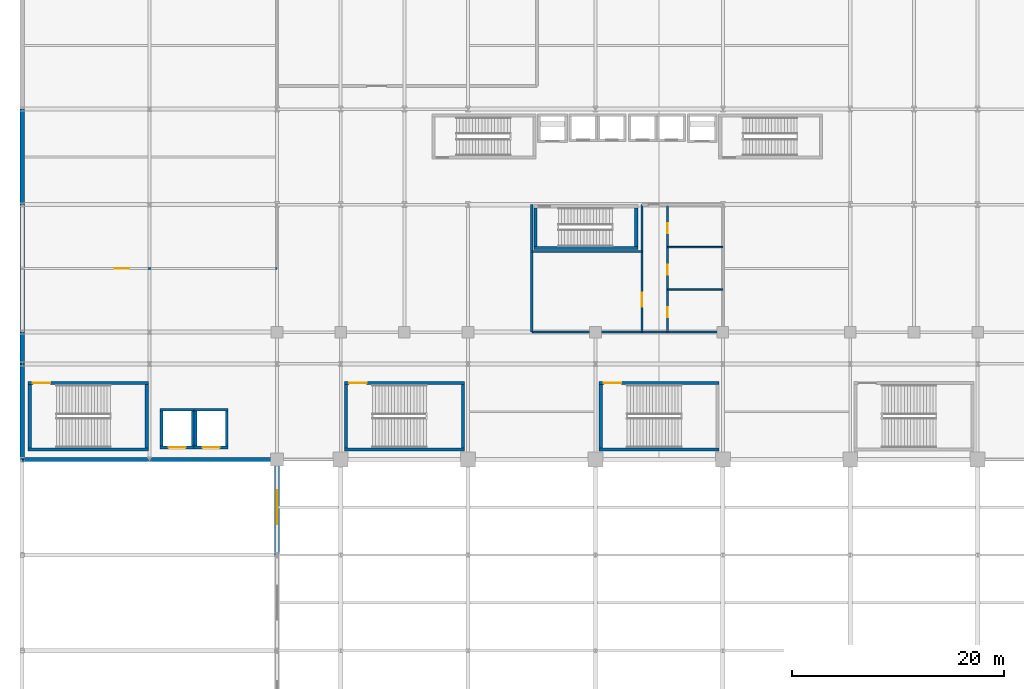
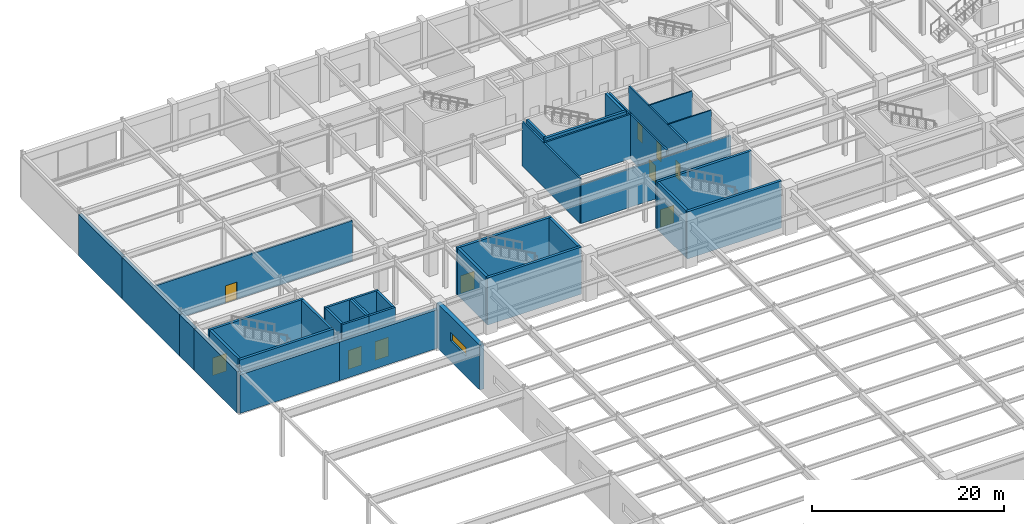
# One storey, part 86 of 105: 37 walls, 10 doors, 1 window, 11 openings.
"""IFC4 building model written with IfcOpenShell, lengths in metres."""

from ifc_helpers import new_model, si_unit, direction, frame, frame_2d, origin, place, context, subcontext, project, spatial, rectangle, extrude, material, layer, layer_set, type_object, element, fill, save


model = new_model("IFC4")

# Units and contexts
model_context = context("Model", 3, precision=1e-05, world=origin(), true_north=direction((0.0, 1.0)))
body_context = subcontext(model_context, "Body", "Model", "MODEL_VIEW")
ifc_project = project(units=[si_unit("LENGTHUNIT", "METRE"), si_unit("AREAUNIT", "SQUARE_METRE"), si_unit("VOLUMEUNIT", "CUBIC_METRE"), si_unit("PLANEANGLEUNIT", "RADIAN"), si_unit("MASSUNIT", "GRAM", prefix="KILO")], contexts=[model_context])

# Site, building, storey
site_placement = place(None, origin())
site = spatial("IfcSite", under=ifc_project, at=site_placement, CompositionType="ELEMENT")
building_placement = place(site_placement, origin())
building = spatial("IfcBuilding", under=site, at=building_placement, Name="Kaldorvane Square Convention Centre", CompositionType="ELEMENT")
storey_placement = place(building_placement, frame((0.0, 0.0, 6.0)))
storey = spatial("IfcBuildingStorey", under=building, at=storey_placement, Name="L01", CompositionType="ELEMENT", Elevation=6.0)

# Wall, opening, window
ifc_material_1 = material(Name="Concrete f'c = 55 MPa (Normalweight)", Category="concrete")
ifc_layer_1 = layer(ifc_material_1, 0.5)
ifc_layer_set_1 = layer_set([ifc_layer_1], Name="Concrete f'c = 55 MPa (Normalweight)")
wall_type_1 = type_object("IfcWallType", Name="WL-CORE-500", PredefinedType="SHEAR", material=ifc_layer_set_1)
wall_1_placement = place(storey_placement, frame((24.0, 72.0, 0.0), z_axis=(0.0, 0.0, 1.0), x_axis=(0.0, -1.0, 0.0)))
wall_1 = element("IfcWall", 1, at=wall_1_placement, inside=storey, type_object=wall_type_1, Name="Exhibition Hall Freight Dock Wall 6 (L01)", PredefinedType="SHEAR", context=body_context, shape_type="SweptSolid", body=[
    extrude(rectangle(XDim=9.0, YDim=0.5, at=frame_2d((4.5, 0.0))), origin(), (0.0, 0.0, 1.0), 5.67999267578125),
])
opening_1_placement = place(wall_1_placement, frame((2.899993896484375, 0.0, 2.600006103515625)))
opening_1 = element("IfcOpeningElement", 2, at=opening_1_placement, cuts=wall_1, Name="Opening W-25", PredefinedType="OPENING", context=body_context, shape_type="SweptSolid", body=[
    extrude(rectangle(XDim=3.1999969482421875, YDim=1.0500030517578125, at=frame_2d((1.600006103515625, 0.524993896484375))), frame((0.0, 0.2649993896484375, 0.0), z_axis=(0.0, -1.0, 0.0), x_axis=(1.0, 0.0, 0.0)), (0.0, 0.0, 1.0), 0.529998779296875),
])
ifc_material_2 = material(Name="Anodized Aluminum and Low-E Insulated Glazing", Category="aluminium")
window_type = type_object("IfcWindowType", Name="WN-CLR-3200X1050", PartitioningType="TRIPLE_PANEL_HORIZONTAL", PredefinedType="WINDOW", material=ifc_material_2)
window_placement = place(opening_1_placement, origin())
window = element("IfcWindow", 3, at=window_placement, inside=storey, type_object=window_type, Name="Exhibition Hall West Clerestory Window 06", OverallHeight=1.0500030517578125, OverallWidth=3.1999969482421875, PartitioningType="TRIPLE_PANEL_HORIZONTAL", PredefinedType="WINDOW", context=body_context, shape_type="SweptSolid", body=[
    extrude(rectangle(XDim=3.1999969482421875, YDim=1.0500030517578125, at=frame_2d((1.600006103515625, 0.524993896484375))), frame((0.0, 0.029998779296875, 0.0), z_axis=(0.0, -1.0, 0.0), x_axis=(1.0, 0.0, 0.0)), (0.0, 0.0, 1.0), 0.05999755859375),
])
fill(opening_1, window)

# Wall
ifc_material_3 = material(Name="Fire-Rated Gypsum Board on Acoustic Steel Studs", Category="steel")
ifc_layer_2 = layer(ifc_material_3, 0.1999969482421875)
ifc_layer_set_2 = layer_set([ifc_layer_2], Name="Fire-Rated Gypsum Board on Acoustic Steel Studs")
wall_type_2 = type_object("IfcWallType", Name="WL-CORR-200", PredefinedType="PARTITIONING", material=ifc_layer_set_2)
wall_2_placement = place(storey_placement, frame((48.0, 84.0, 0.0), z_axis=(0.0, 0.0, 1.0), x_axis=(1.0, 0.0, 0.0)))
element("IfcWall", 4, at=wall_2_placement, inside=storey, type_object=wall_type_2, Name="Service Block South Partition (L01)", PredefinedType="PARTITIONING", context=body_context, shape_type="SweptSolid", body=[
    extrude(rectangle(XDim=18.0, YDim=0.1999969482421875, at=frame_2d((9.0, 0.0))), origin(), (0.0, 0.0, 1.0), 4.9019927978515625),
])

# Wall, opening, door
wall_3_placement = place(storey_placement, frame((58.399993896484375, 84.0, 0.0), z_axis=(0.0, 0.0, 1.0), x_axis=(0.0, 1.0, 0.0)))
wall_3 = element("IfcWall", 5, at=wall_3_placement, inside=storey, type_object=wall_type_2, Name="Restroom Vestibule West Wall (L01)", PredefinedType="PARTITIONING", context=body_context, shape_type="SweptSolid", body=[
    extrude(rectangle(XDim=12.0, YDim=0.1999969482421875, at=frame_2d((6.0, 0.0))), origin(), (0.0, 0.0, 1.0), 5.67999267578125),
])
opening_2_placement = place(wall_3_placement, frame((2.399993896484375, 0.0, 0.0)))
opening_2 = element("IfcOpeningElement", 6, at=opening_2_placement, cuts=wall_3, Name="Opening ID-09", PredefinedType="OPENING", context=body_context, shape_type="SweptSolid", body=[
    extrude(rectangle(XDim=1.3000030517578125, YDim=2.1999969482421875, at=frame_2d((0.649993896484375, 1.100006103515625))), frame((0.0, 0.114990234375, 0.0), z_axis=(0.0, -1.0, 0.0), x_axis=(1.0, 0.0, 0.0)), (0.0, 0.0, 1.0), 0.2299957275390625),
])
ifc_material_4 = material(Name="Insulated Hollow Metal Steel", Category="steel")
door_type_1 = type_object("IfcDoorType", Name="DR-SVC-1300X2200", OperationType="DOUBLE_DOOR_SINGLE_SWING", PredefinedType="DOOR", material=ifc_material_4)
door_1_placement = place(opening_2_placement, origin())
door_1 = element("IfcDoor", 7, at=door_1_placement, inside=storey, type_object=door_type_1, Name="Janitor and Service Closet (L01) Door", OperationType="DOUBLE_DOOR_SINGLE_SWING", OverallHeight=2.1999969482421875, OverallWidth=1.3000030517578125, PredefinedType="DOOR", context=body_context, shape_type="SweptSolid", body=[
    extrude(rectangle(XDim=1.3000030517578125, YDim=2.1999969482421875, at=frame_2d((0.649993896484375, 1.100006103515625))), frame((0.0, 0.024993896484375, 0.0), z_axis=(0.0, -1.0, 0.0), x_axis=(1.0, 0.0, 0.0)), (0.0, 0.0, 1.0), 0.0500030517578125),
])
fill(opening_2, door_1)

# Wall, openings, doors
wall_4_placement = place(storey_placement, frame((60.80000305175781, 84.0, 0.0), z_axis=(0.0, 0.0, 1.0), x_axis=(0.0, 1.0, 0.0)))
wall_4 = element("IfcWall", 8, at=wall_4_placement, inside=storey, type_object=wall_type_2, Name="Restroom Vestibule East Wall (L01)", PredefinedType="PARTITIONING", context=body_context, shape_type="SweptSolid", body=[
    extrude(rectangle(XDim=12.0, YDim=0.1999969482421875, at=frame_2d((6.0, 0.0))), origin(), (0.0, 0.0, 1.0), 5.67999267578125),
])
opening_3_placement = place(wall_4_placement, frame((1.399993896484375, 0.0, 0.0)))
opening_3 = element("IfcOpeningElement", 9, at=opening_3_placement, cuts=wall_4, Name="Opening ID-13", PredefinedType="OPENING", context=body_context, shape_type="SweptSolid", body=[
    extrude(rectangle(XDim=0.9499969482421875, YDim=2.149993896484375, at=frame_2d((0.475006103515625, 1.0749969482421875))), frame((0.0, 0.114990234375, 0.0), z_axis=(0.0, -1.0, 0.0), x_axis=(1.0, 0.0, 0.0)), (0.0, 0.0, 1.0), 0.2299957275390625),
])
opening_4_placement = place(wall_4_placement, frame((5.399993896484375, 0.0, 0.0)))
opening_4 = element("IfcOpeningElement", 10, at=opening_4_placement, cuts=wall_4, Name="Opening ID-13", PredefinedType="OPENING", context=body_context, shape_type="SweptSolid", body=[
    extrude(rectangle(XDim=0.9499969482421875, YDim=2.149993896484375, at=frame_2d((0.475006103515625, 1.0749969482421875))), frame((0.0, 0.114990234375, 0.0), z_axis=(0.0, -1.0, 0.0), x_axis=(1.0, 0.0, 0.0)), (0.0, 0.0, 1.0), 0.2299957275390625),
])
opening_5_placement = place(wall_4_placement, frame((9.300003051757812, 0.0, 0.0)))
opening_5 = element("IfcOpeningElement", 11, at=opening_5_placement, cuts=wall_4, Name="Opening ID-13", PredefinedType="OPENING", context=body_context, shape_type="SweptSolid", body=[
    extrude(rectangle(XDim=0.9499969482421875, YDim=2.149993896484375, at=frame_2d((0.475006103515625, 1.0749969482421875))), frame((0.0, 0.114990234375, 0.0), z_axis=(0.0, -1.0, 0.0), x_axis=(1.0, 0.0, 0.0)), (0.0, 0.0, 1.0), 0.2299957275390625),
])
ifc_material_5 = material(Name="Architectural Solid-Core White Oak")
door_type_2 = type_object("IfcDoorType", Name="DR-WC-0950X2150", OperationType="SINGLE_SWING_LEFT", PredefinedType="DOOR", material=ifc_material_5)
door_2_placement = place(opening_3_placement, origin())
door_2 = element("IfcDoor", 12, at=door_2_placement, inside=storey, type_object=door_type_2, Name="Accessible Restroom Door (L01)", OperationType="SINGLE_SWING_LEFT", OverallHeight=2.149993896484375, OverallWidth=0.9499969482421875, PredefinedType="DOOR", context=body_context, shape_type="SweptSolid", body=[
    extrude(rectangle(XDim=0.9499969482421875, YDim=2.149993896484375, at=frame_2d((0.475006103515625, 1.0749969482421875))), frame((0.0, 0.024993896484375, 0.0), z_axis=(0.0, -1.0, 0.0), x_axis=(1.0, 0.0, 0.0)), (0.0, 0.0, 1.0), 0.0500030517578125),
])
fill(opening_3, door_2)
door_3_placement = place(opening_4_placement, origin())
door_3 = element("IfcDoor", 13, at=door_3_placement, inside=storey, type_object=door_type_2, Name="Men's Restroom Door (L01)", OperationType="SINGLE_SWING_LEFT", OverallHeight=2.149993896484375, OverallWidth=0.9499969482421875, PredefinedType="DOOR", context=body_context, shape_type="SweptSolid", body=[
    extrude(rectangle(XDim=0.9499969482421875, YDim=2.149993896484375, at=frame_2d((0.475006103515625, 1.0749969482421875))), frame((0.0, 0.024993896484375, 0.0), z_axis=(0.0, -1.0, 0.0), x_axis=(1.0, 0.0, 0.0)), (0.0, 0.0, 1.0), 0.0500030517578125),
])
fill(opening_4, door_3)
door_4_placement = place(opening_5_placement, origin())
door_4 = element("IfcDoor", 14, at=door_4_placement, inside=storey, type_object=door_type_2, Name="Women's Restroom Door (L01)", OperationType="SINGLE_SWING_LEFT", OverallHeight=2.149993896484375, OverallWidth=0.9499969482421875, PredefinedType="DOOR", context=body_context, shape_type="SweptSolid", body=[
    extrude(rectangle(XDim=0.9499969482421875, YDim=2.149993896484375, at=frame_2d((0.475006103515625, 1.0749969482421875))), frame((0.0, 0.024993896484375, 0.0), z_axis=(0.0, -1.0, 0.0), x_axis=(1.0, 0.0, 0.0)), (0.0, 0.0, 1.0), 0.0500030517578125),
])
fill(opening_5, door_4)

# Walls
wall_5_placement = place(storey_placement, frame((48.0, 91.60000610351562, 0.0), z_axis=(0.0, 0.0, 1.0), x_axis=(1.0, 0.0, 0.0)))
element("IfcWall", 15, at=wall_5_placement, inside=storey, type_object=wall_type_2, Name="Housekeeping North Wall (L01)", PredefinedType="PARTITIONING", context=body_context, shape_type="SweptSolid", body=[
    extrude(rectangle(XDim=10.399993896484375, YDim=0.1999969482421875, at=frame_2d((5.1999969482421875, 0.0))), origin(), (0.0, 0.0, 1.0), 5.67999267578125),
])
wall_6_placement = place(storey_placement, frame((48.0, 84.0, 0.0), z_axis=(0.0, 0.0, 1.0), x_axis=(0.0, 1.0, 0.0)))
element("IfcWall", 16, at=wall_6_placement, inside=storey, type_object=wall_type_2, Name="Service Block West Wall (L01)", PredefinedType="PARTITIONING", context=body_context, shape_type="SweptSolid", body=[
    extrude(rectangle(XDim=12.0, YDim=0.1999969482421875, at=frame_2d((6.0, 0.0))), origin(), (0.0, 0.0, 1.0), 5.67999267578125),
])

# Wall, opening, door
wall_7_placement = place(storey_placement, frame((0.2050018310546875, 90.0, 0.0), z_axis=(0.0, 0.0, 1.0), x_axis=(1.0, 0.0, 0.0)))
wall_7 = element("IfcWall", 17, at=wall_7_placement, inside=storey, type_object=wall_type_2, Name="Brasserie Catering Kitchen S Wall", PredefinedType="PARTITIONING", context=body_context, shape_type="SweptSolid", body=[
    extrude(rectangle(XDim=23.794998168945312, YDim=0.1999969482421875, at=frame_2d((11.897491455078125, 0.0))), origin(), (0.0, 0.0, 1.0), 5.14599609375),
])
opening_6_placement = place(wall_7_placement, frame((8.5, 0.0, 0.0)))
opening_6 = element("IfcOpeningElement", 18, at=opening_6_placement, cuts=wall_7, Name="Opening ID-08", PredefinedType="OPENING", context=body_context, shape_type="SweptSolid", body=[
    extrude(rectangle(XDim=1.399993896484375, YDim=2.1999969482421875, at=frame_2d((0.6999969482421875, 1.100006103515625))), frame((0.0, 0.114990234375, 0.0), z_axis=(0.0, -1.0, 0.0), x_axis=(1.0, 0.0, 0.0)), (0.0, 0.0, 1.0), 0.2299957275390625),
])
door_type_3 = type_object("IfcDoorType", Name="DR-SVC-1400X2200", OperationType="DOUBLE_DOOR_SINGLE_SWING", PredefinedType="DOOR", material=ifc_material_4)
door_5_placement = place(opening_6_placement, origin())
door_5 = element("IfcDoor", 19, at=door_5_placement, inside=storey, type_object=door_type_3, Name="Brasserie Catering Kitchen Door 1", OperationType="DOUBLE_DOOR_SINGLE_SWING", OverallHeight=2.1999969482421875, OverallWidth=1.399993896484375, PredefinedType="DOOR", context=body_context, shape_type="SweptSolid", body=[
    extrude(rectangle(XDim=1.399993896484375, YDim=2.1999969482421875, at=frame_2d((0.6999969482421875, 1.100006103515625))), frame((0.0, 0.024993896484375, 0.0), z_axis=(0.0, -1.0, 0.0), x_axis=(1.0, 0.0, 0.0)), (0.0, 0.0, 1.0), 0.0500030517578125),
])
fill(opening_6, door_5)

# Walls
ifc_material_6 = material(Name="Concrete f'c = 42 MPa (Normalweight)", Category="concrete")
ifc_layer_3 = layer(ifc_material_6, 0.410003662109375)
ifc_layer_set_3 = layer_set([ifc_layer_3], Name="Concrete f'c = 42 MPa (Normalweight)")
wall_type_3 = type_object("IfcWallType", Name="WL-EXT-410", PredefinedType="STANDARD", material=ifc_layer_set_3)
wall_8_placement = place(storey_placement, frame((0.0, 81.0, 0.0), z_axis=(0.0, 0.0, 1.0), x_axis=(0.0, -1.0, 0.0)))
element("IfcWall", 20, at=wall_8_placement, inside=storey, type_object=wall_type_3, Name="West Service Spine Wall (L01)", PredefinedType="STANDARD", context=body_context, shape_type="SweptSolid", body=[
    extrude(rectangle(XDim=9.0, YDim=0.410003662109375, at=frame_2d((4.5, 0.0))), origin(), (0.0, 0.0, 1.0), 5.2689971923828125),
])
wall_9_placement = place(storey_placement, frame((0.0, 84.0, 0.0), z_axis=(0.0, 0.0, 1.0), x_axis=(0.0, -1.0, 0.0)))
element("IfcWall", 21, at=wall_9_placement, inside=storey, type_object=wall_type_3, Name="West Service Spine Wall (L01)", PredefinedType="STANDARD", context=body_context, shape_type="SweptSolid", body=[
    extrude(rectangle(XDim=3.0, YDim=0.410003662109375, at=frame_2d((1.5, 0.0))), origin(), (0.0, 0.0, 1.0), 5.2689971923828125),
])
wall_10_placement = place(storey_placement, frame((0.0, 96.0, 0.0), z_axis=(0.0, 0.0, 1.0), x_axis=(0.0, -1.0, 0.0)))
element("IfcWall", 22, at=wall_10_placement, inside=storey, type_object=wall_type_3, Name="West Service Spine Wall (L01)", PredefinedType="STANDARD", context=body_context, shape_type="SweptSolid", body=[
    extrude(rectangle(XDim=12.0, YDim=0.410003662109375, at=frame_2d((6.0, 0.0))), origin(), (0.0, 0.0, 1.0), 5.2689971923828125),
])
wall_11_placement = place(storey_placement, frame((0.0, 105.0, 0.0), z_axis=(0.0, 0.0, 1.0), x_axis=(0.0, -1.0, 0.0)))
element("IfcWall", 23, at=wall_11_placement, inside=storey, type_object=wall_type_3, Name="West Service Spine Wall (L01)", PredefinedType="STANDARD", context=body_context, shape_type="SweptSolid", body=[
    extrude(rectangle(XDim=9.0, YDim=0.410003662109375, at=frame_2d((4.5, 0.0))), origin(), (0.0, 0.0, 1.0), 5.2689971923828125),
])
for number, where, z_axis, x_axis, name in (
    (24, (12.0, 72.0, 0.0), (0.0, 0.0, 1.0), (-1.0, 0.0, 0.0), "Service Yard North Wall (L01)"),
    (25, (24.0, 72.0, 0.0), (0.0, 0.0, 1.0), (-1.0, 0.0, 0.0), "Service Yard North Wall (L01)"),
):
    element("IfcWall", number, at=place(storey_placement, frame(where, z_axis=z_axis, x_axis=x_axis)), inside=storey, type_object=wall_type_3, Name=name, PredefinedType="STANDARD", context=body_context, shape_type="SweptSolid", body=[
        extrude(rectangle(XDim=12.0, YDim=0.410003662109375, at=frame_2d((6.0, 0.0))), origin(), (0.0, 0.0, 1.0), 4.9019927978515625),
    ])
ifc_layer_4 = layer(ifc_material_3, 0.149993896484375)
ifc_layer_set_4 = layer_set([ifc_layer_4], Name="Fire-Rated Gypsum Board on Acoustic Steel Studs")
wall_type_4 = type_object("IfcWallType", Name="WL-PART-150", PredefinedType="PARTITIONING", material=ifc_layer_set_4)
for number, where, z_axis, x_axis, name in (
    (26, (60.80000305175781, 88.0, 0.0), (0.0, 0.0, 1.0), (1.0, 0.0, 0.0), "Restroom Partition 1 (L01)"),
    (27, (60.80000305175781, 92.0, 0.0), (0.0, 0.0, 1.0), (1.0, 0.0, 0.0), "Restroom Partition 2 (L01)"),
):
    element("IfcWall", number, at=place(storey_placement, frame(where, z_axis=z_axis, x_axis=x_axis)), inside=storey, type_object=wall_type_4, Name=name, PredefinedType="PARTITIONING", context=body_context, shape_type="SweptSolid", body=[
        extrude(rectangle(XDim=5.1999969482421875, YDim=0.149993896484375, at=frame_2d((2.600006103515625, 0.0))), origin(), (0.0, 0.0, 1.0), 5.67999267578125),
    ])
ifc_layer_5 = layer(ifc_material_1, 0.3000030517578125)
ifc_layer_set_5 = layer_set([ifc_layer_5], Name="Concrete f'c = 55 MPa (Normalweight)")
wall_type_5 = type_object("IfcWallType", Name="WL-SHAFT-300", PredefinedType="SHEAR", material=ifc_layer_set_5)
wall_12_placement = place(storey_placement, frame((48.19999694824219, 91.91000366210938, 0.0), z_axis=(0.0, 0.0, 1.0), x_axis=(1.0, 0.0, 0.0)))
element("IfcWall", 28, at=wall_12_placement, inside=storey, type_object=wall_type_5, Name="Core Enclosure Wall stair:ST-T3-S (L01)", PredefinedType="SHEAR", context=body_context, shape_type="SweptSolid", body=[
    extrude(rectangle(XDim=9.800003051757812, YDim=0.3000030517578125, at=frame_2d((4.899993896484375, 0.0))), origin(), (0.0, 0.0, 1.0), 6.0),
])
for number, where, z_axis, x_axis, name in (
    (29, (48.350006103515625, 95.69999694824219, 0.0), (0.0, 0.0, 1.0), (0.0, -1.0, 0.0), "Core Enclosure Wall stair:ST-T3-W (L01)"),
    (30, (57.850006103515625, 92.05999755859375, 0.0), (0.0, 0.0, 1.0), (0.0, 1.0, 0.0), "Core Enclosure Wall stair:ST-T3-E (L01)"),
):
    element("IfcWall", number, at=place(storey_placement, frame(where, z_axis=z_axis, x_axis=x_axis)), inside=storey, type_object=wall_type_5, Name=name, PredefinedType="SHEAR", context=body_context, shape_type="SweptSolid", body=[
        extrude(rectangle(XDim=3.6399993896484375, YDim=0.3000030517578125, at=frame_2d((1.82000732421875, 0.0))), origin(), (0.0, 0.0, 1.0), 6.0),
    ])
wall_13_placement = place(storey_placement, frame((0.55999755859375, 72.94999694824219, 0.0), z_axis=(0.0, 0.0, 1.0), x_axis=(1.0, 0.0, 0.0)))
element("IfcWall", 31, at=wall_13_placement, inside=storey, type_object=wall_type_5, Name="Core Enclosure Wall stair:ST-C12-S (L01)", PredefinedType="SHEAR", context=body_context, shape_type="SweptSolid", body=[
    extrude(rectangle(XDim=11.32000732421875, YDim=0.3000030517578125, at=frame_2d((5.660003662109375, 0.0))), origin(), (0.0, 0.0, 1.0), 6.0),
])

# Wall, opening, door
wall_14_placement = place(storey_placement, frame((11.8800048828125, 79.21000671386719, 0.0), z_axis=(0.0, 0.0, 1.0), x_axis=(-1.0, 0.0, 0.0)))
wall_14 = element("IfcWall", 32, at=wall_14_placement, inside=storey, type_object=wall_type_5, Name="Core Enclosure Wall stair:ST-C12-N (L01)", PredefinedType="SHEAR", context=body_context, shape_type="SweptSolid", body=[
    extrude(rectangle(XDim=11.32000732421875, YDim=0.3000030517578125, at=frame_2d((5.660003662109375, 0.0))), origin(), (0.0, 0.0, 1.0), 6.0),
])
opening_7_placement = place(wall_14_placement, frame((9.220001220703125, 0.0, 0.0)))
opening_7 = element("IfcOpeningElement", 33, at=opening_7_placement, cuts=wall_14, Name="Opening FD90-S2", PredefinedType="OPENING", context=body_context, shape_type="SweptSolid", body=[
    extrude(rectangle(XDim=1.649993896484375, YDim=2.25, at=frame_2d((0.8249969482421875, 1.125))), frame((0.0, 0.165008544921875, 0.0), z_axis=(0.0, -1.0, 0.0), x_axis=(1.0, 0.0, 0.0)), (0.0, 0.0, 1.0), 0.3300018310546875),
])
ifc_material_7 = material(Name="Fire-Rated Hollow Metal Steel", Category="steel")
door_type_4 = type_object("IfcDoorType", Name="DR-STAIR-1650", OperationType="DOUBLE_DOOR_SINGLE_SWING", PredefinedType="DOOR", material=ifc_material_7)
door_6_placement = place(opening_7_placement, origin())
door_6 = element("IfcDoor", 34, at=door_6_placement, inside=storey, type_object=door_type_4, Name="Convention Exit Stair C12 Fire Door (L01)", OperationType="DOUBLE_DOOR_SINGLE_SWING", OverallHeight=2.25, OverallWidth=1.649993896484375, PredefinedType="DOOR", context=body_context, shape_type="SweptSolid", body=[
    extrude(rectangle(XDim=1.649993896484375, YDim=2.25, at=frame_2d((0.8249969482421875, 1.125))), frame((0.0, 0.024993896484375, 0.0), z_axis=(0.0, -1.0, 0.0), x_axis=(1.0, 0.0, 0.0)), (0.0, 0.0, 1.0), 0.0500030517578125),
])
fill(opening_7, door_6)

# Walls
for number, where, z_axis, x_axis, name in (
    (35, (0.7100067138671875, 79.05999755859375, 0.0), (0.0, 0.0, 1.0), (0.0, -1.0, 0.0), "Core Enclosure Wall stair:ST-C12-W (L01)"),
    (36, (11.729995727539062, 73.10000610351562, 0.0), (0.0, 0.0, 1.0), (0.0, 1.0, 0.0), "Core Enclosure Wall stair:ST-C12-E (L01)"),
):
    element("IfcWall", number, at=place(storey_placement, frame(where, z_axis=z_axis, x_axis=x_axis)), inside=storey, type_object=wall_type_5, Name=name, PredefinedType="SHEAR", context=body_context, shape_type="SweptSolid", body=[
        extrude(rectangle(XDim=5.959991455078125, YDim=0.3000030517578125, at=frame_2d((2.9799957275390625, 0.0))), origin(), (0.0, 0.0, 1.0), 6.0),
    ])
wall_15_placement = place(storey_placement, frame((30.339996337890625, 72.94999694824219, 0.0), z_axis=(0.0, 0.0, 1.0), x_axis=(1.0, 0.0, 0.0)))
element("IfcWall", 37, at=wall_15_placement, inside=storey, type_object=wall_type_5, Name="Core Enclosure Wall stair:ST-C13-S (L01)", PredefinedType="SHEAR", context=body_context, shape_type="SweptSolid", body=[
    extrude(rectangle(XDim=11.32000732421875, YDim=0.3000030517578125, at=frame_2d((5.660003662109375, 0.0))), origin(), (0.0, 0.0, 1.0), 6.0),
])

# Wall, opening, door
wall_16_placement = place(storey_placement, frame((41.660003662109375, 79.21000671386719, 0.0), z_axis=(0.0, 0.0, 1.0), x_axis=(-1.0, 0.0, 0.0)))
wall_16 = element("IfcWall", 38, at=wall_16_placement, inside=storey, type_object=wall_type_5, Name="Core Enclosure Wall stair:ST-C13-N (L01)", PredefinedType="SHEAR", context=body_context, shape_type="SweptSolid", body=[
    extrude(rectangle(XDim=11.32000732421875, YDim=0.3000030517578125, at=frame_2d((5.660003662109375, 0.0))), origin(), (0.0, 0.0, 1.0), 6.0),
])
opening_8_placement = place(wall_16_placement, frame((9.220001220703125, 0.0, 0.0)))
opening_8 = element("IfcOpeningElement", 39, at=opening_8_placement, cuts=wall_16, Name="Opening FD90-S2", PredefinedType="OPENING", context=body_context, shape_type="SweptSolid", body=[
    extrude(rectangle(XDim=1.649993896484375, YDim=2.25, at=frame_2d((0.8249969482421875, 1.125))), frame((0.0, 0.165008544921875, 0.0), z_axis=(0.0, -1.0, 0.0), x_axis=(1.0, 0.0, 0.0)), (0.0, 0.0, 1.0), 0.3300018310546875),
])
door_7_placement = place(opening_8_placement, origin())
door_7 = element("IfcDoor", 40, at=door_7_placement, inside=storey, type_object=door_type_4, Name="Convention Exit Stair C13 Fire Door (L01)", OperationType="DOUBLE_DOOR_SINGLE_SWING", OverallHeight=2.25, OverallWidth=1.649993896484375, PredefinedType="DOOR", context=body_context, shape_type="SweptSolid", body=[
    extrude(rectangle(XDim=1.649993896484375, YDim=2.25, at=frame_2d((0.8249969482421875, 1.125))), frame((0.0, 0.024993896484375, 0.0), z_axis=(0.0, -1.0, 0.0), x_axis=(1.0, 0.0, 0.0)), (0.0, 0.0, 1.0), 0.0500030517578125),
])
fill(opening_8, door_7)

# Walls
for number, where, z_axis, x_axis, name in (
    (41, (30.490005493164062, 79.05999755859375, 0.0), (0.0, 0.0, 1.0), (0.0, -1.0, 0.0), "Core Enclosure Wall stair:ST-C13-W (L01)"),
    (42, (41.50999450683594, 73.10000610351562, 0.0), (0.0, 0.0, 1.0), (0.0, 1.0, 0.0), "Core Enclosure Wall stair:ST-C13-E (L01)"),
):
    element("IfcWall", number, at=place(storey_placement, frame(where, z_axis=z_axis, x_axis=x_axis)), inside=storey, type_object=wall_type_5, Name=name, PredefinedType="SHEAR", context=body_context, shape_type="SweptSolid", body=[
        extrude(rectangle(XDim=5.959991455078125, YDim=0.3000030517578125, at=frame_2d((2.9799957275390625, 0.0))), origin(), (0.0, 0.0, 1.0), 6.0),
    ])
wall_17_placement = place(storey_placement, frame((54.339996337890625, 72.94999694824219, 0.0), z_axis=(0.0, 0.0, 1.0), x_axis=(1.0, 0.0, 0.0)))
element("IfcWall", 43, at=wall_17_placement, inside=storey, type_object=wall_type_5, Name="Core Enclosure Wall stair:ST-C14-S (L01)", PredefinedType="SHEAR", context=body_context, shape_type="SweptSolid", body=[
    extrude(rectangle(XDim=11.32000732421875, YDim=0.3000030517578125, at=frame_2d((5.660003662109375, 0.0))), origin(), (0.0, 0.0, 1.0), 6.0),
])

# Wall, opening, door
wall_18_placement = place(storey_placement, frame((65.66000366210938, 79.21000671386719, 0.0), z_axis=(0.0, 0.0, 1.0), x_axis=(-1.0, 0.0, 0.0)))
wall_18 = element("IfcWall", 44, at=wall_18_placement, inside=storey, type_object=wall_type_5, Name="Core Enclosure Wall stair:ST-C14-N (L01)", PredefinedType="SHEAR", context=body_context, shape_type="SweptSolid", body=[
    extrude(rectangle(XDim=11.32000732421875, YDim=0.3000030517578125, at=frame_2d((5.660003662109375, 0.0))), origin(), (0.0, 0.0, 1.0), 6.0),
])
opening_9_placement = place(wall_18_placement, frame((9.220001220703125, 0.0, 0.0)))
opening_9 = element("IfcOpeningElement", 45, at=opening_9_placement, cuts=wall_18, Name="Opening FD90-S2", PredefinedType="OPENING", context=body_context, shape_type="SweptSolid", body=[
    extrude(rectangle(XDim=1.649993896484375, YDim=2.25, at=frame_2d((0.8249969482421875, 1.125))), frame((0.0, 0.165008544921875, 0.0), z_axis=(0.0, -1.0, 0.0), x_axis=(1.0, 0.0, 0.0)), (0.0, 0.0, 1.0), 0.3300018310546875),
])
door_8_placement = place(opening_9_placement, origin())
door_8 = element("IfcDoor", 46, at=door_8_placement, inside=storey, type_object=door_type_4, Name="Convention Exit Stair C14 Fire Door (L01)", OperationType="DOUBLE_DOOR_SINGLE_SWING", OverallHeight=2.25, OverallWidth=1.649993896484375, PredefinedType="DOOR", context=body_context, shape_type="SweptSolid", body=[
    extrude(rectangle(XDim=1.649993896484375, YDim=2.25, at=frame_2d((0.8249969482421875, 1.125))), frame((0.0, 0.024993896484375, 0.0), z_axis=(0.0, -1.0, 0.0), x_axis=(1.0, 0.0, 0.0)), (0.0, 0.0, 1.0), 0.0500030517578125),
])
fill(opening_9, door_8)

# Wall
wall_19_placement = place(storey_placement, frame((54.49000549316406, 79.05999755859375, 0.0), z_axis=(0.0, 0.0, 1.0), x_axis=(0.0, -1.0, 0.0)))
element("IfcWall", 47, at=wall_19_placement, inside=storey, type_object=wall_type_5, Name="Core Enclosure Wall stair:ST-C14-W (L01)", PredefinedType="SHEAR", context=body_context, shape_type="SweptSolid", body=[
    extrude(rectangle(XDim=5.959991455078125, YDim=0.3000030517578125, at=frame_2d((2.9799957275390625, 0.0))), origin(), (0.0, 0.0, 1.0), 6.0),
])

# Wall, opening, door
wall_20_placement = place(storey_placement, frame((13.0, 73.125, 0.0), z_axis=(0.0, 0.0, 1.0), x_axis=(1.0, 0.0, 0.0)))
wall_20 = element("IfcWall", 48, at=wall_20_placement, inside=storey, type_object=wall_type_5, Name="Core Enclosure Wall lift:EL-G1-S (L01)", PredefinedType="SHEAR", context=body_context, shape_type="SweptSolid", body=[
    extrude(rectangle(XDim=3.1999969482421875, YDim=0.25, at=frame_2d((1.600006103515625, 0.0))), origin(), (0.0, 0.0, 1.0), 6.0),
])
opening_10_placement = place(wall_20_placement, frame((0.8000030517578125, 0.0, 0.0)))
opening_10 = element("IfcOpeningElement", 49, at=opening_10_placement, cuts=wall_20, Name="Opening LD-03", PredefinedType="OPENING", context=body_context, shape_type="SweptSolid", body=[
    extrude(rectangle(XDim=1.600006103515625, YDim=2.399993896484375, at=frame_2d((0.8000030517578125, 1.1999969482421875))), frame((0.0, 0.1399993896484375, 0.0), z_axis=(0.0, -1.0, 0.0), x_axis=(1.0, 0.0, 0.0)), (0.0, 0.0, 1.0), 0.279998779296875),
])
ifc_material_8 = material(Name="Stainless Steel Elevator Door Assembly", Category="steel")
door_type_5 = type_object("IfcDoorType", Name="DR-LIFT-1600", OperationType="DOUBLE_DOOR_SLIDING", PredefinedType="DOOR", material=ifc_material_8)
door_9_placement = place(opening_10_placement, origin())
door_9 = element("IfcDoor", 50, at=door_9_placement, inside=storey, type_object=door_type_5, Name="Elevator Landing Door EL-G1 (L01)", OperationType="DOUBLE_DOOR_SLIDING", OverallHeight=2.399993896484375, OverallWidth=1.600006103515625, PredefinedType="DOOR", context=body_context, shape_type="SweptSolid", body=[
    extrude(rectangle(XDim=1.600006103515625, YDim=2.399993896484375, at=frame_2d((0.8000030517578125, 1.1999969482421875))), frame((0.0, 0.024993896484375, 0.0), z_axis=(0.0, -1.0, 0.0), x_axis=(1.0, 0.0, 0.0)), (0.0, 0.0, 1.0), 0.0500030517578125),
])
fill(opening_10, door_9)

# Walls
wall_21_placement = place(storey_placement, frame((16.199996948242188, 76.67500305175781, 0.0), z_axis=(0.0, 0.0, 1.0), x_axis=(-1.0, 0.0, 0.0)))
element("IfcWall", 51, at=wall_21_placement, inside=storey, type_object=wall_type_5, Name="Core Enclosure Wall lift:EL-G1-N (L01)", PredefinedType="SHEAR", context=body_context, shape_type="SweptSolid", body=[
    extrude(rectangle(XDim=3.1999969482421875, YDim=0.25, at=frame_2d((1.600006103515625, 0.0))), origin(), (0.0, 0.0, 1.0), 6.0),
])
for number, where, z_axis, x_axis, name in (
    (52, (13.125, 76.55000305175781, 0.0), (0.0, 0.0, 1.0), (0.0, -1.0, 0.0), "Core Enclosure Wall lift:EL-G1-W (L01)"),
    (53, (16.074996948242188, 73.25, 0.0), (0.0, 0.0, 1.0), (0.0, 1.0, 0.0), "Core Enclosure Wall lift:EL-G1-E (L01)"),
):
    element("IfcWall", number, at=place(storey_placement, frame(where, z_axis=z_axis, x_axis=x_axis)), inside=storey, type_object=wall_type_5, Name=name, PredefinedType="SHEAR", context=body_context, shape_type="SweptSolid", body=[
        extrude(rectangle(XDim=3.3000030517578125, YDim=0.25, at=frame_2d((1.649993896484375, 0.0))), origin(), (0.0, 0.0, 1.0), 6.0),
    ])

# Wall, opening, door
wall_22_placement = place(storey_placement, frame((16.199996948242188, 73.125, 0.0), z_axis=(0.0, 0.0, 1.0), x_axis=(1.0, 0.0, 0.0)))
wall_22 = element("IfcWall", 54, at=wall_22_placement, inside=storey, type_object=wall_type_5, Name="Core Enclosure Wall lift:EL-G2-S (L01)", PredefinedType="SHEAR", context=body_context, shape_type="SweptSolid", body=[
    extrude(rectangle(XDim=3.1999969482421875, YDim=0.25, at=frame_2d((1.600006103515625, 0.0))), origin(), (0.0, 0.0, 1.0), 6.0),
])
opening_11_placement = place(wall_22_placement, frame((0.8000030517578125, 0.0, 0.0)))
opening_11 = element("IfcOpeningElement", 55, at=opening_11_placement, cuts=wall_22, Name="Opening LD-03", PredefinedType="OPENING", context=body_context, shape_type="SweptSolid", body=[
    extrude(rectangle(XDim=1.600006103515625, YDim=2.399993896484375, at=frame_2d((0.8000030517578125, 1.1999969482421875))), frame((0.0, 0.1399993896484375, 0.0), z_axis=(0.0, -1.0, 0.0), x_axis=(1.0, 0.0, 0.0)), (0.0, 0.0, 1.0), 0.279998779296875),
])
door_10_placement = place(opening_11_placement, origin())
door_10 = element("IfcDoor", 56, at=door_10_placement, inside=storey, type_object=door_type_5, Name="Elevator Landing Door EL-G2 (L01)", OperationType="DOUBLE_DOOR_SLIDING", OverallHeight=2.399993896484375, OverallWidth=1.600006103515625, PredefinedType="DOOR", context=body_context, shape_type="SweptSolid", body=[
    extrude(rectangle(XDim=1.600006103515625, YDim=2.399993896484375, at=frame_2d((0.8000030517578125, 1.1999969482421875))), frame((0.0, 0.024993896484375, 0.0), z_axis=(0.0, -1.0, 0.0), x_axis=(1.0, 0.0, 0.0)), (0.0, 0.0, 1.0), 0.0500030517578125),
])
fill(opening_11, door_10)

# Walls
wall_23_placement = place(storey_placement, frame((19.399993896484375, 76.67500305175781, 0.0), z_axis=(0.0, 0.0, 1.0), x_axis=(-1.0, 0.0, 0.0)))
element("IfcWall", 57, at=wall_23_placement, inside=storey, type_object=wall_type_5, Name="Core Enclosure Wall lift:EL-G2-N (L01)", PredefinedType="SHEAR", context=body_context, shape_type="SweptSolid", body=[
    extrude(rectangle(XDim=3.1999969482421875, YDim=0.25, at=frame_2d((1.600006103515625, 0.0))), origin(), (0.0, 0.0, 1.0), 6.0),
])
for number, where, z_axis, x_axis, name in (
    (58, (16.324996948242188, 76.55000305175781, 0.0), (0.0, 0.0, 1.0), (0.0, -1.0, 0.0), "Core Enclosure Wall lift:EL-G2-W (L01)"),
    (59, (19.274993896484375, 73.25, 0.0), (0.0, 0.0, 1.0), (0.0, 1.0, 0.0), "Core Enclosure Wall lift:EL-G2-E (L01)"),
):
    element("IfcWall", number, at=place(storey_placement, frame(where, z_axis=z_axis, x_axis=x_axis)), inside=storey, type_object=wall_type_5, Name=name, PredefinedType="SHEAR", context=body_context, shape_type="SweptSolid", body=[
        extrude(rectangle(XDim=3.3000030517578125, YDim=0.25, at=frame_2d((1.649993896484375, 0.0))), origin(), (0.0, 0.0, 1.0), 6.0),
    ])

save(model, "model.ifc")
